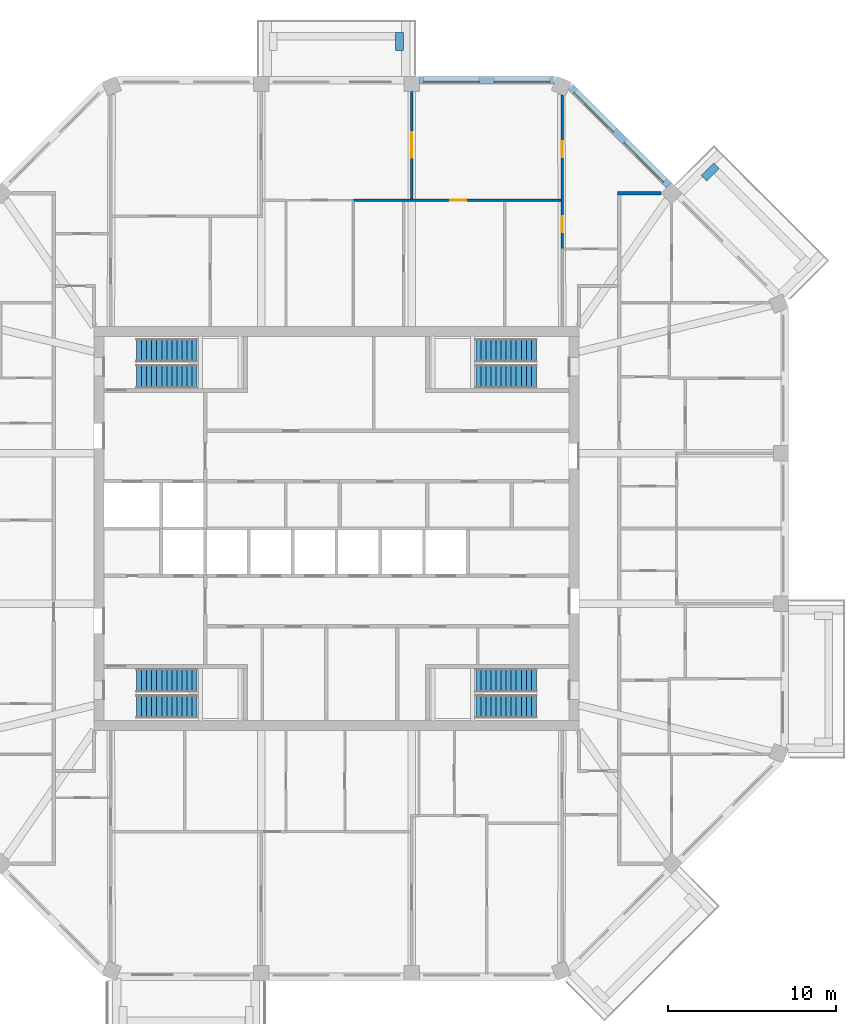
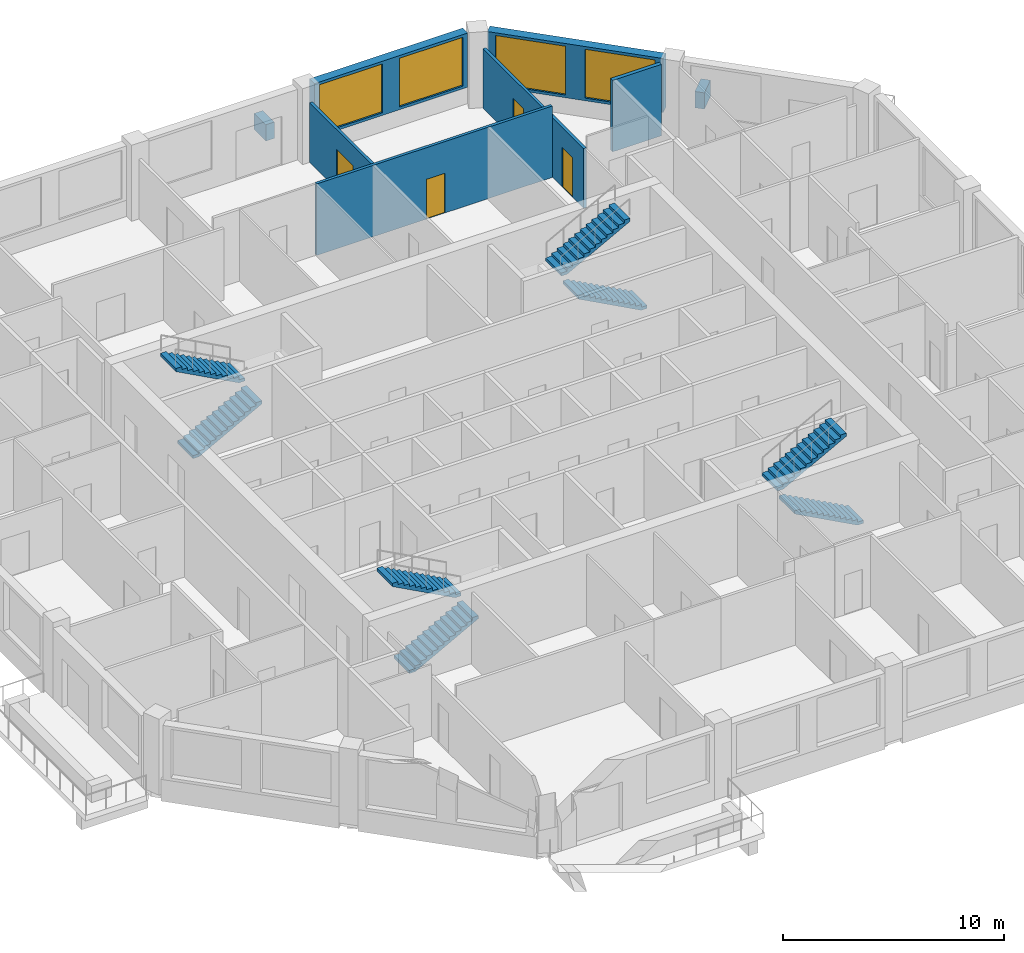
# One storey, part 10 of 11: 8 stair flights, 8 walls, 4 doors, 4 windows, 8 openings, 4 elements without a shape of their own.
"""IFC4 building model written with IfcOpenShell, lengths in metres."""

from ifc_helpers import new_model, si_unit, direction, frame, frame_2d, origin, place, context, subcontext, project, spatial, polyline, rectangle, outline, extrude, material, layer, layer_set, type_object, element, fill, aggregate, save


model = new_model("IFC4")

# Units and contexts
model_context = context("Model", 3, precision=1e-05, world=origin(), true_north=direction((0.0, 1.0)))
body_context = subcontext(model_context, "Body", "Model", "MODEL_VIEW")
ifc_project = project(units=[si_unit("LENGTHUNIT", "METRE"), si_unit("AREAUNIT", "SQUARE_METRE"), si_unit("VOLUMEUNIT", "CUBIC_METRE"), si_unit("PLANEANGLEUNIT", "RADIAN"), si_unit("MASSUNIT", "GRAM", prefix="KILO")], contexts=[model_context])

# Site, building, storey
site_placement = place(None, origin())
site = spatial("IfcSite", under=ifc_project, at=site_placement, CompositionType="ELEMENT")
building_placement = place(site_placement, origin())
building = spatial("IfcBuilding", under=site, at=building_placement, Name="Msitu Wima Residences", CompositionType="ELEMENT")
storey_placement = place(building_placement, frame((0.0, 0.0, 268.5)))
storey = spatial("IfcBuildingStorey", under=building, at=storey_placement, Name="L62", CompositionType="ELEMENT", Elevation=268.5)

# Walls
ifc_material_1 = material(Name="Facing brick")
ifc_layer_1 = layer(ifc_material_1, 0.06494140625, Name="Facing brick")
ifc_material_2 = material(Name="Concrete C40/50", Category="concrete")
ifc_layer_2 = layer(ifc_material_2, 0.156005859375, Name="Concrete C40/50")
ifc_material_3 = material(Name="Waterproofing membrane")
ifc_layer_3 = layer(ifc_material_3, 0.00390625, Name="Waterproofing membrane")
ifc_material_4 = material(Name="Planting soil and planting")
ifc_layer_4 = layer(ifc_material_4, 0.22509765625, Name="Planting soil and planting")
ifc_layer_set_1 = layer_set([ifc_layer_1, ifc_layer_2, ifc_layer_3, ifc_layer_4], Name="Concrete C40/50")
wall_type_1 = type_object("IfcWallType", Name="Balcony planter PLANTER PL450", PredefinedType="USERDEFINED", material=ifc_layer_set_1)
for number, where, z_axis, x_axis, name in (
    (1, (21.829833984375, 20.804443359375, 0.0), (0.0, 0.0, 1.0), (0.707106781187, 0.707106781187, 0.0), "Balcony planter NE0 L62"),
    (2, (3.74365234375, 28.39990234375, 0.0), (0.0, 0.0, 1.0), (0.0, 1.0, 0.0), "Balcony planter N1 L62"),
):
    element("IfcWall", number, at=place(storey_placement, frame(where, z_axis=z_axis, x_axis=x_axis)), inside=storey, type_object=wall_type_1, Name=name, ObjectType="PLANTER", PredefinedType="USERDEFINED", context=body_context, shape_type="SweptSolid", body=[
        extrude(rectangle(XDim=1.050048828125, YDim=0.449951171875, at=frame_2d((0.52490234375, 0.0))), origin(), (0.0, 0.0, 1.0), 0.89990234375),
    ])

# Wall, openings, windows
ifc_material_5 = material(Name="Brick (red buff mix)", Category="masonry")
ifc_layer_5 = layer(ifc_material_5, 0.449951171875)
ifc_layer_set_2 = layer_set([ifc_layer_5], Name="Brick (red buff mix)")
wall_type_2 = type_object("IfcWallType", Name="Brick infill wall BW450", PredefinedType="SOLIDWALL", material=ifc_layer_set_2)
wall_1_placement = place(storey_placement, frame((19.743896484375, 20.380126953125, 0.89990234375), z_axis=(0.0, 0.0, 1.0), x_axis=(-0.707106781187, 0.707106781187, 0.0)))
wall_1 = element("IfcWall", 3, at=wall_1_placement, inside=storey, type_object=wall_type_2, Name="Brick infill wall L62 NE1", PredefinedType="SOLIDWALL", context=body_context, shape_type="SweptSolid", body=[
    extrude(rectangle(XDim=8.251220703125, YDim=0.449951171875, at=frame_2d((4.12548828125, 0.0))), origin(), (0.0, 0.0, 1.0), 3.0),
])
opening_1_placement = place(wall_1_placement, frame((0.37548828125, 0.0, 0.14990234375)))
opening_1 = element("IfcOpeningElement", 4, at=opening_1_placement, cuts=wall_1, Name="Opening W60-62.012", PredefinedType="OPENING", context=body_context, shape_type="SweptSolid", body=[
    extrude(rectangle(XDim=3.300048828125, YDim=2.699951171875, at=frame_2d((1.64990234375, 1.35009765625))), frame((0.0, 0.23486328125, 0.0), z_axis=(0.0, -1.0, 0.0), x_axis=(1.0, 0.0, 0.0)), (0.0, 0.0, 1.0), 0.469970703125),
])
opening_2_placement = place(wall_1_placement, frame((4.57568359375, 0.0, 0.14990234375)))
opening_2 = element("IfcOpeningElement", 5, at=opening_2_placement, cuts=wall_1, Name="Opening W60-62.013", PredefinedType="OPENING", context=body_context, shape_type="SweptSolid", body=[
    extrude(rectangle(XDim=3.300048828125, YDim=2.699951171875, at=frame_2d((1.64990234375, 1.35009765625))), frame((0.0, 0.23486328125, 0.0), z_axis=(0.0, -1.0, 0.0), x_axis=(1.0, 0.0, 0.0)), (0.0, 0.0, 1.0), 0.469970703125),
])
ifc_material_6 = material(Name="Anodised aluminium, bronze finish, clear low-emissivity double glazing", Category="aluminium")
window_type = type_object("IfcWindowType", Name="Window W3300x2700", PartitioningType="DOUBLE_PANEL_VERTICAL", PredefinedType="WINDOW", material=ifc_material_6)
window_1_placement = place(opening_1_placement, origin())
window_1 = element("IfcWindow", 6, at=window_1_placement, inside=storey, type_object=window_type, Name="Window L62 NE1.1", OverallHeight=2.699951171875, OverallWidth=3.300048828125, PartitioningType="SINGLE_PANEL", PredefinedType="WINDOW", context=body_context, shape_type="SweptSolid", body=[
    extrude(rectangle(XDim=3.300048828125, YDim=2.699951171875, at=frame_2d((1.64990234375, 1.35009765625))), frame((0.0, 0.135009765625, 0.0), z_axis=(0.0, -1.0, 0.0), x_axis=(1.0, 0.0, 0.0)), (0.0, 0.0, 1.0), 0.06005859375),
])
fill(opening_1, window_1)
window_2_placement = place(opening_2_placement, origin())
window_2 = element("IfcWindow", 7, at=window_2_placement, inside=storey, type_object=window_type, Name="Window L62 NE1.2", OverallHeight=2.699951171875, OverallWidth=3.300048828125, PartitioningType="SINGLE_PANEL", PredefinedType="WINDOW", context=body_context, shape_type="SweptSolid", body=[
    extrude(rectangle(XDim=3.300048828125, YDim=2.699951171875, at=frame_2d((1.64990234375, 1.35009765625))), frame((0.0, 0.135009765625, 0.0), z_axis=(0.0, -1.0, 0.0), x_axis=(1.0, 0.0, 0.0)), (0.0, 0.0, 1.0), 0.06005859375),
])
fill(opening_2, window_2)

wall_2_placement = place(storey_placement, frame((12.918701171875, 26.625, 0.89990234375), z_axis=(0.0, 0.0, 1.0), x_axis=(-1.0, 0.0, 0.0)))
wall_2 = element("IfcWall", 8, at=wall_2_placement, inside=storey, type_object=wall_type_2, Name="Brick infill wall L62 N0", PredefinedType="SOLIDWALL", context=body_context, shape_type="SweptSolid", body=[
    extrude(rectangle(XDim=8.0, YDim=0.449951171875, at=frame_2d((4.0, 0.0))), origin(), (0.0, 0.0, 1.0), 3.0),
])
opening_3_placement = place(wall_2_placement, frame((0.25, 0.0, 0.14990234375)))
opening_3 = element("IfcOpeningElement", 9, at=opening_3_placement, cuts=wall_2, Name="Opening W60-62.006", PredefinedType="OPENING", context=body_context, shape_type="SweptSolid", body=[
    extrude(rectangle(XDim=3.300048828125, YDim=2.699951171875, at=frame_2d((1.64990234375, 1.35009765625))), frame((0.0, 0.23486328125, 0.0), z_axis=(0.0, -1.0, 0.0), x_axis=(1.0, 0.0, 0.0)), (0.0, 0.0, 1.0), 0.469970703125),
])
opening_4_placement = place(wall_2_placement, frame((4.4501953125, 0.0, 0.14990234375)))
opening_4 = element("IfcOpeningElement", 10, at=opening_4_placement, cuts=wall_2, Name="Opening W60-62.007", PredefinedType="OPENING", context=body_context, shape_type="SweptSolid", body=[
    extrude(rectangle(XDim=3.300048828125, YDim=2.699951171875, at=frame_2d((1.64990234375, 1.35009765625))), frame((0.0, 0.23486328125, 0.0), z_axis=(0.0, -1.0, 0.0), x_axis=(1.0, 0.0, 0.0)), (0.0, 0.0, 1.0), 0.469970703125),
])
window_3_placement = place(opening_3_placement, origin())
window_3 = element("IfcWindow", 11, at=window_3_placement, inside=storey, type_object=window_type, Name="Window L62 N0.1", OverallHeight=2.699951171875, OverallWidth=3.300048828125, PartitioningType="SINGLE_PANEL", PredefinedType="WINDOW", context=body_context, shape_type="SweptSolid", body=[
    extrude(rectangle(XDim=3.300048828125, YDim=2.699951171875, at=frame_2d((1.64990234375, 1.35009765625))), frame((0.0, 0.135009765625, 0.0), z_axis=(0.0, -1.0, 0.0), x_axis=(1.0, 0.0, 0.0)), (0.0, 0.0, 1.0), 0.06005859375),
])
fill(opening_3, window_3)
window_4_placement = place(opening_4_placement, origin())
window_4 = element("IfcWindow", 12, at=window_4_placement, inside=storey, type_object=window_type, Name="Window L62 N0.2", OverallHeight=2.699951171875, OverallWidth=3.300048828125, PartitioningType="SINGLE_PANEL", PredefinedType="WINDOW", context=body_context, shape_type="SweptSolid", body=[
    extrude(rectangle(XDim=3.300048828125, YDim=2.699951171875, at=frame_2d((1.64990234375, 1.35009765625))), frame((0.0, 0.135009765625, 0.0), z_axis=(0.0, -1.0, 0.0), x_axis=(1.0, 0.0, 0.0)), (0.0, 0.0, 1.0), 0.06005859375),
])
fill(opening_4, window_4)

# Wall, opening, door
ifc_material_7 = material(Name="Plaster")
ifc_layer_6 = layer(ifc_material_7, 0.011962890625, Name="Plaster")
ifc_material_8 = material(Name="Concrete blockwork", Category="masonry")
ifc_layer_7 = layer(ifc_material_8, 0.1259765625, Name="Concrete blockwork")
ifc_layer_8 = layer(ifc_material_7, 0.011962890625, Name="Plaster")
ifc_layer_set_3 = layer_set([ifc_layer_6, ifc_layer_7, ifc_layer_8], Name="Concrete blockwork")
wall_type_3 = type_object("IfcWallType", Name="Partition PW150", PredefinedType="PARTITIONING", material=ifc_layer_set_3)
wall_3_placement = place(storey_placement, frame((1.0, 19.5, 0.0), z_axis=(0.0, 0.0, 1.0), x_axis=(1.0, 0.0, 0.0)))
wall_3 = element("IfcWall", 13, at=wall_3_placement, inside=storey, type_object=wall_type_3, Name="Partition", PredefinedType="PARTITIONING", context=body_context, shape_type="SweptSolid", body=[
    extrude(rectangle(XDim=12.330810546875, YDim=0.14990234375, at=frame_2d((6.16552734375, 0.0))), origin(), (0.0, 0.0, 1.0), 3.949951171875),
])
opening_5_placement = place(wall_3_placement, frame((5.75, 0.0, 0.0)))
opening_5 = element("IfcOpeningElement", 14, at=opening_5_placement, cuts=wall_3, Name="Opening D60-62.028", PredefinedType="OPENING", context=body_context, shape_type="SweptSolid", body=[
    extrude(rectangle(XDim=0.949951171875, YDim=2.199951171875, at=frame_2d((0.47509765625, 1.10009765625))), frame((0.0, 0.0849609375, 0.0), z_axis=(0.0, -1.0, 0.0), x_axis=(1.0, 0.0, 0.0)), (0.0, 0.0, 1.0), 0.169921875),
])
ifc_material_9 = material(Name="Timber flush door", Category="wood")
door_type_1 = type_object("IfcDoorType", Name="Room door D12 950x2200", OperationType="SINGLE_SWING_LEFT", PredefinedType="DOOR", material=ifc_material_9)
door_1_placement = place(opening_5_placement, origin())
door_1 = element("IfcDoor", 15, at=door_1_placement, inside=storey, type_object=door_type_1, Name="Room door", OperationType="SINGLE_SWING_LEFT", OverallHeight=2.199951171875, OverallWidth=0.949951171875, PredefinedType="DOOR", context=body_context, shape_type="SweptSolid", body=[
    extrude(rectangle(XDim=0.949951171875, YDim=2.199951171875, at=frame_2d((0.47509765625, 1.10009765625))), frame((0.0, 0.02490234375, 0.0), z_axis=(0.0, -1.0, 0.0), x_axis=(1.0, 0.0, 0.0)), (0.0, 0.0, 1.0), 0.050048828125),
])
fill(opening_5, door_1)

wall_4_placement = place(storey_placement, frame((4.46875, 19.574951171875, 0.0), z_axis=(0.0, 0.0, 1.0), x_axis=(0.0, 1.0, 0.0)))
wall_4 = element("IfcWall", 16, at=wall_4_placement, inside=storey, type_object=wall_type_3, Name="Partition", PredefinedType="PARTITIONING", context=body_context, shape_type="SweptSolid", body=[
    extrude(rectangle(XDim=6.375, YDim=0.14990234375, at=frame_2d((3.1875, 0.0))), origin(), (0.0, 0.0, 1.0), 3.300048828125),
])
opening_6_placement = place(wall_4_placement, frame((2.449951171875, 0.0, 0.0)))
opening_6 = element("IfcOpeningElement", 17, at=opening_6_placement, cuts=wall_4, Name="Opening D60-62.036", PredefinedType="OPENING", context=body_context, shape_type="SweptSolid", body=[
    extrude(rectangle(XDim=1.5, YDim=2.199951171875, at=frame_2d((0.75, 1.10009765625))), frame((0.0, 0.0849609375, 0.0), z_axis=(0.0, -1.0, 0.0), x_axis=(1.0, 0.0, 0.0)), (0.0, 0.0, 1.0), 0.169921875),
])
ifc_material_10 = material(Name="Timber double door", Category="wood")
door_type_2 = type_object("IfcDoorType", Name="Double door D04 1500x2200", OperationType="DOUBLE_DOOR_SINGLE_SWING", PredefinedType="DOOR", material=ifc_material_10)
door_2_placement = place(opening_6_placement, origin())
door_2 = element("IfcDoor", 18, at=door_2_placement, inside=storey, type_object=door_type_2, Name="Double door", OperationType="DOUBLE_DOOR_SINGLE_SWING", OverallHeight=2.199951171875, OverallWidth=1.5, PredefinedType="DOOR", context=body_context, shape_type="SweptSolid", body=[
    extrude(rectangle(XDim=1.5, YDim=2.199951171875, at=frame_2d((0.75, 1.10009765625))), frame((0.0, 0.02490234375, 0.0), z_axis=(0.0, -1.0, 0.0), x_axis=(1.0, 0.0, 0.0)), (0.0, 0.0, 1.0), 0.050048828125),
])
fill(opening_6, door_2)

# Wall, openings, doors
wall_5_placement = place(storey_placement, frame((13.406005859375, 16.60009765625, 0.0), z_axis=(0.0, 0.0, 1.0), x_axis=(0.0, 1.0, 0.0)))
wall_5 = element("IfcWall", 19, at=wall_5_placement, inside=storey, type_object=wall_type_3, Name="Partition", PredefinedType="PARTITIONING", context=body_context, shape_type="SweptSolid", body=[
    extrude(rectangle(XDim=9.131103515625, YDim=0.14990234375, at=frame_2d((4.5654296875, 0.0))), origin(), (0.0, 0.0, 1.0), 3.300048828125),
])
opening_7_placement = place(wall_5_placement, frame((5.449951171875, 0.0, 0.0)))
opening_7 = element("IfcOpeningElement", 20, at=opening_7_placement, cuts=wall_5, Name="Opening D60-62.037", PredefinedType="OPENING", context=body_context, shape_type="SweptSolid", body=[
    extrude(rectangle(XDim=0.949951171875, YDim=2.199951171875, at=frame_2d((0.47509765625, 1.10009765625))), frame((0.0, 0.0849609375, 0.0), z_axis=(0.0, -1.0, 0.0), x_axis=(1.0, 0.0, 0.0)), (0.0, 0.0, 1.0), 0.169921875),
])
opening_8_placement = place(wall_5_placement, frame((1.0, 0.0, 0.0)))
opening_8 = element("IfcOpeningElement", 21, at=opening_8_placement, cuts=wall_5, Name="Opening D60-62.038", PredefinedType="OPENING", context=body_context, shape_type="SweptSolid", body=[
    extrude(rectangle(XDim=0.949951171875, YDim=2.199951171875, at=frame_2d((0.47509765625, 1.10009765625))), frame((0.0, 0.0849609375, 0.0), z_axis=(0.0, -1.0, 0.0), x_axis=(1.0, 0.0, 0.0)), (0.0, 0.0, 1.0), 0.169921875),
])
door_3_placement = place(opening_7_placement, origin())
door_3 = element("IfcDoor", 22, at=door_3_placement, inside=storey, type_object=door_type_1, Name="Room door", OperationType="SINGLE_SWING_LEFT", OverallHeight=2.199951171875, OverallWidth=0.949951171875, PredefinedType="DOOR", context=body_context, shape_type="SweptSolid", body=[
    extrude(rectangle(XDim=0.949951171875, YDim=2.199951171875, at=frame_2d((0.47509765625, 1.10009765625))), frame((0.0, 0.02490234375, 0.0), z_axis=(0.0, -1.0, 0.0), x_axis=(1.0, 0.0, 0.0)), (0.0, 0.0, 1.0), 0.050048828125),
])
fill(opening_7, door_3)
door_4_placement = place(opening_8_placement, origin())
door_4 = element("IfcDoor", 23, at=door_4_placement, inside=storey, type_object=door_type_1, Name="Room door", OperationType="SINGLE_SWING_RIGHT", OverallHeight=2.199951171875, OverallWidth=0.949951171875, PredefinedType="DOOR", context=body_context, shape_type="SweptSolid", body=[
    extrude(rectangle(XDim=0.949951171875, YDim=2.199951171875, at=frame_2d((0.47509765625, 1.10009765625))), frame((0.0, 0.02490234375, 0.0), z_axis=(0.0, -1.0, 0.0), x_axis=(1.0, 0.0, 0.0)), (0.0, 0.0, 1.0), 0.050048828125),
])
fill(opening_8, door_4)

# Wall
ifc_layer_9 = layer(ifc_material_7, 0.011962890625, Name="Plaster")
ifc_material_11 = material(Name="Dense concrete blockwork", Category="masonry")
ifc_layer_10 = layer(ifc_material_11, 0.176025390625, Name="Dense concrete blockwork")
ifc_layer_11 = layer(ifc_material_7, 0.011962890625, Name="Plaster")
ifc_layer_set_4 = layer_set([ifc_layer_9, ifc_layer_10, ifc_layer_11], Name="Dense concrete blockwork")
wall_type_4 = type_object("IfcWallType", Name="Party wall PW200", PredefinedType="PARTITIONING", material=ifc_layer_set_4)
wall_6_placement = place(storey_placement, frame((16.699951171875, 19.90283203125, 0.0), z_axis=(0.0, 0.0, 1.0), x_axis=(1.0, 0.0, 0.0)))
element("IfcWall", 24, at=wall_6_placement, inside=storey, type_object=wall_type_4, Name="Party wall", PredefinedType="PARTITIONING", context=body_context, shape_type="SweptSolid", body=[
    extrude(rectangle(XDim=2.566650390625, YDim=0.199951171875, at=frame_2d((1.283203125, 0.0))), origin(), (0.0, 0.0, 1.0), 3.949951171875),
])

# Stair, stair flights
stair_type = type_object("IfcStairType", Name="Exit stair ES1615-140", PredefinedType="HALF_TURN_STAIR", material=ifc_material_2)
stair_1_placement = place(storey_placement, origin())
stair_1 = element("IfcStair", 25, at=stair_1_placement, inside=storey, type_object=stair_type, Name="Exit stair 1", PredefinedType="HALF_TURN_STAIR")
stair_flight_type = type_object("IfcStairFlightType", Name="Exit stair flight ES1615-140", PredefinedType="STRAIGHT", material=ifc_material_2)
stair_flight_1_placement = place(storey_placement, frame((-11.875, 9.02490234375, 0.0), z_axis=(0.0, 0.0, 1.0), x_axis=(1.0, 0.0, 0.0)))
stair_flight_1 = element("IfcStairFlight", 26, at=stair_flight_1_placement, type_object=stair_flight_type, Name="S1 flight 1", NumberOfRisers=13, NumberOfTreads=12, PredefinedType="STRAIGHT", RiserHeight=0.161538462, TreadLength=0.3, context=body_context, shape_type="SweptSolid", body=[
    extrude(outline(polyline([(0.0, 0.0), (0.0, 0.16162109375), (0.300048828125, 0.16162109375), (0.300048828125, 0.322998046875), (0.60009765625, 0.322998046875), (0.60009765625, 0.484619140625), (0.89990234375, 0.484619140625), (0.89990234375, 0.646240234375), (1.199951171875, 0.646240234375), (1.199951171875, 0.8076171875), (1.5, 0.8076171875), (1.5, 0.96923828125), (1.800048828125, 0.96923828125), (1.800048828125, 1.130859375), (2.10009765625, 1.130859375), (2.10009765625, 1.292236328125), (2.39990234375, 1.292236328125), (2.39990234375, 1.453857421875), (2.699951171875, 1.453857421875), (2.699951171875, 1.615478515625), (3.0, 1.615478515625), (3.0, 1.77685546875), (3.300048828125, 1.77685546875), (3.300048828125, 1.9384765625), (3.60009765625, 1.9384765625), (3.60009765625, 2.10009765625), (3.60009765625, 1.768310546875), (0.316162109375, 0.0), (0.0, 0.0)])), frame((0.0, 0.699951171875, 0.0), z_axis=(0.0, -1.0, 0.0), x_axis=(1.0, 0.0, 0.0)), (0.0, 0.0, 1.0), 1.39990234375),
])
stair_flight_2_placement = place(storey_placement, frame((-8.27490234375, 10.574951171875, 2.10009765625), z_axis=(0.0, 0.0, 1.0), x_axis=(-1.0, 0.0, 0.0)))
stair_flight_2 = element("IfcStairFlight", 27, at=stair_flight_2_placement, type_object=stair_flight_type, Name="S1 flight 2", NumberOfRisers=13, NumberOfTreads=12, PredefinedType="STRAIGHT", RiserHeight=0.161538462, TreadLength=0.3, context=body_context, shape_type="SweptSolid", body=[
    extrude(outline(polyline([(0.0, 0.0), (0.0, 0.16162109375), (0.300048828125, 0.16162109375), (0.300048828125, 0.322998046875), (0.60009765625, 0.322998046875), (0.60009765625, 0.484619140625), (0.89990234375, 0.484619140625), (0.89990234375, 0.646240234375), (1.199951171875, 0.646240234375), (1.199951171875, 0.8076171875), (1.5, 0.8076171875), (1.5, 0.96923828125), (1.800048828125, 0.96923828125), (1.800048828125, 1.130859375), (2.10009765625, 1.130859375), (2.10009765625, 1.292236328125), (2.39990234375, 1.292236328125), (2.39990234375, 1.453857421875), (2.699951171875, 1.453857421875), (2.699951171875, 1.615478515625), (3.0, 1.615478515625), (3.0, 1.77685546875), (3.300048828125, 1.77685546875), (3.300048828125, 1.9384765625), (3.60009765625, 1.9384765625), (3.60009765625, 2.10009765625), (3.60009765625, 1.768310546875), (0.316162109375, 0.0), (0.0, 0.0)])), frame((0.0, 0.699951171875, 0.0), z_axis=(0.0, -1.0, 0.0), x_axis=(1.0, 0.0, 0.0)), (0.0, 0.0, 1.0), 1.39990234375),
])
aggregate(stair_1, [stair_flight_1, stair_flight_2])

stair_2_placement = place(storey_placement, origin())
stair_2 = element("IfcStair", 28, at=stair_2_placement, inside=storey, type_object=stair_type, Name="Exit stair 2", PredefinedType="HALF_TURN_STAIR")
stair_flight_3_placement = place(storey_placement, frame((-11.875, -10.574951171875, 0.0), z_axis=(0.0, 0.0, 1.0), x_axis=(1.0, 0.0, 0.0)))
stair_flight_3 = element("IfcStairFlight", 29, at=stair_flight_3_placement, type_object=stair_flight_type, Name="S2 flight 1", NumberOfRisers=13, NumberOfTreads=12, PredefinedType="STRAIGHT", RiserHeight=0.161538462, TreadLength=0.3, context=body_context, shape_type="SweptSolid", body=[
    extrude(outline(polyline([(0.0, 0.0), (0.0, 0.16162109375), (0.300048828125, 0.16162109375), (0.300048828125, 0.322998046875), (0.60009765625, 0.322998046875), (0.60009765625, 0.484619140625), (0.89990234375, 0.484619140625), (0.89990234375, 0.646240234375), (1.199951171875, 0.646240234375), (1.199951171875, 0.8076171875), (1.5, 0.8076171875), (1.5, 0.96923828125), (1.800048828125, 0.96923828125), (1.800048828125, 1.130859375), (2.10009765625, 1.130859375), (2.10009765625, 1.292236328125), (2.39990234375, 1.292236328125), (2.39990234375, 1.453857421875), (2.699951171875, 1.453857421875), (2.699951171875, 1.615478515625), (3.0, 1.615478515625), (3.0, 1.77685546875), (3.300048828125, 1.77685546875), (3.300048828125, 1.9384765625), (3.60009765625, 1.9384765625), (3.60009765625, 2.10009765625), (3.60009765625, 1.768310546875), (0.316162109375, 0.0), (0.0, 0.0)])), frame((0.0, 0.699951171875, 0.0), z_axis=(0.0, -1.0, 0.0), x_axis=(1.0, 0.0, 0.0)), (0.0, 0.0, 1.0), 1.39990234375),
])
stair_flight_4_placement = place(storey_placement, frame((-8.27490234375, -9.02490234375, 2.10009765625), z_axis=(0.0, 0.0, 1.0), x_axis=(-1.0, 0.0, 0.0)))
stair_flight_4 = element("IfcStairFlight", 30, at=stair_flight_4_placement, type_object=stair_flight_type, Name="S2 flight 2", NumberOfRisers=13, NumberOfTreads=12, PredefinedType="STRAIGHT", RiserHeight=0.161538462, TreadLength=0.3, context=body_context, shape_type="SweptSolid", body=[
    extrude(outline(polyline([(0.0, 0.0), (0.0, 0.16162109375), (0.300048828125, 0.16162109375), (0.300048828125, 0.322998046875), (0.60009765625, 0.322998046875), (0.60009765625, 0.484619140625), (0.89990234375, 0.484619140625), (0.89990234375, 0.646240234375), (1.199951171875, 0.646240234375), (1.199951171875, 0.8076171875), (1.5, 0.8076171875), (1.5, 0.96923828125), (1.800048828125, 0.96923828125), (1.800048828125, 1.130859375), (2.10009765625, 1.130859375), (2.10009765625, 1.292236328125), (2.39990234375, 1.292236328125), (2.39990234375, 1.453857421875), (2.699951171875, 1.453857421875), (2.699951171875, 1.615478515625), (3.0, 1.615478515625), (3.0, 1.77685546875), (3.300048828125, 1.77685546875), (3.300048828125, 1.9384765625), (3.60009765625, 1.9384765625), (3.60009765625, 2.10009765625), (3.60009765625, 1.768310546875), (0.316162109375, 0.0), (0.0, 0.0)])), frame((0.0, 0.699951171875, 0.0), z_axis=(0.0, -1.0, 0.0), x_axis=(1.0, 0.0, 0.0)), (0.0, 0.0, 1.0), 1.39990234375),
])
aggregate(stair_2, [stair_flight_3, stair_flight_4])

stair_3_placement = place(storey_placement, origin())
stair_3 = element("IfcStair", 31, at=stair_3_placement, inside=storey, type_object=stair_type, Name="Exit stair 3", PredefinedType="HALF_TURN_STAIR")
stair_flight_5_placement = place(storey_placement, frame((11.875, 9.02490234375, 0.0), z_axis=(0.0, 0.0, 1.0), x_axis=(-1.0, 0.0, 0.0)))
stair_flight_5 = element("IfcStairFlight", 32, at=stair_flight_5_placement, type_object=stair_flight_type, Name="S3 flight 1", NumberOfRisers=13, NumberOfTreads=12, PredefinedType="STRAIGHT", RiserHeight=0.161538462, TreadLength=0.3, context=body_context, shape_type="SweptSolid", body=[
    extrude(outline(polyline([(0.0, 0.0), (0.0, 0.16162109375), (0.300048828125, 0.16162109375), (0.300048828125, 0.322998046875), (0.60009765625, 0.322998046875), (0.60009765625, 0.484619140625), (0.89990234375, 0.484619140625), (0.89990234375, 0.646240234375), (1.199951171875, 0.646240234375), (1.199951171875, 0.8076171875), (1.5, 0.8076171875), (1.5, 0.96923828125), (1.800048828125, 0.96923828125), (1.800048828125, 1.130859375), (2.10009765625, 1.130859375), (2.10009765625, 1.292236328125), (2.39990234375, 1.292236328125), (2.39990234375, 1.453857421875), (2.699951171875, 1.453857421875), (2.699951171875, 1.615478515625), (3.0, 1.615478515625), (3.0, 1.77685546875), (3.300048828125, 1.77685546875), (3.300048828125, 1.9384765625), (3.60009765625, 1.9384765625), (3.60009765625, 2.10009765625), (3.60009765625, 1.768310546875), (0.316162109375, 0.0), (0.0, 0.0)])), frame((0.0, 0.699951171875, 0.0), z_axis=(0.0, -1.0, 0.0), x_axis=(1.0, 0.0, 0.0)), (0.0, 0.0, 1.0), 1.39990234375),
])
stair_flight_6_placement = place(storey_placement, frame((8.27490234375, 10.574951171875, 2.10009765625), z_axis=(0.0, 0.0, 1.0), x_axis=(1.0, 0.0, 0.0)))
stair_flight_6 = element("IfcStairFlight", 33, at=stair_flight_6_placement, type_object=stair_flight_type, Name="S3 flight 2", NumberOfRisers=13, NumberOfTreads=12, PredefinedType="STRAIGHT", RiserHeight=0.161538462, TreadLength=0.3, context=body_context, shape_type="SweptSolid", body=[
    extrude(outline(polyline([(0.0, 0.0), (0.0, 0.16162109375), (0.300048828125, 0.16162109375), (0.300048828125, 0.322998046875), (0.60009765625, 0.322998046875), (0.60009765625, 0.484619140625), (0.89990234375, 0.484619140625), (0.89990234375, 0.646240234375), (1.199951171875, 0.646240234375), (1.199951171875, 0.8076171875), (1.5, 0.8076171875), (1.5, 0.96923828125), (1.800048828125, 0.96923828125), (1.800048828125, 1.130859375), (2.10009765625, 1.130859375), (2.10009765625, 1.292236328125), (2.39990234375, 1.292236328125), (2.39990234375, 1.453857421875), (2.699951171875, 1.453857421875), (2.699951171875, 1.615478515625), (3.0, 1.615478515625), (3.0, 1.77685546875), (3.300048828125, 1.77685546875), (3.300048828125, 1.9384765625), (3.60009765625, 1.9384765625), (3.60009765625, 2.10009765625), (3.60009765625, 1.768310546875), (0.316162109375, 0.0), (0.0, 0.0)])), frame((0.0, 0.699951171875, 0.0), z_axis=(0.0, -1.0, 0.0), x_axis=(1.0, 0.0, 0.0)), (0.0, 0.0, 1.0), 1.39990234375),
])
aggregate(stair_3, [stair_flight_5, stair_flight_6])

stair_4_placement = place(storey_placement, origin())
stair_4 = element("IfcStair", 34, at=stair_4_placement, inside=storey, type_object=stair_type, Name="Exit stair 4", PredefinedType="HALF_TURN_STAIR")
stair_flight_7_placement = place(storey_placement, frame((11.875, -10.574951171875, 0.0), z_axis=(0.0, 0.0, 1.0), x_axis=(-1.0, 0.0, 0.0)))
stair_flight_7 = element("IfcStairFlight", 35, at=stair_flight_7_placement, type_object=stair_flight_type, Name="S4 flight 1", NumberOfRisers=13, NumberOfTreads=12, PredefinedType="STRAIGHT", RiserHeight=0.161538462, TreadLength=0.3, context=body_context, shape_type="SweptSolid", body=[
    extrude(outline(polyline([(0.0, 0.0), (0.0, 0.16162109375), (0.300048828125, 0.16162109375), (0.300048828125, 0.322998046875), (0.60009765625, 0.322998046875), (0.60009765625, 0.484619140625), (0.89990234375, 0.484619140625), (0.89990234375, 0.646240234375), (1.199951171875, 0.646240234375), (1.199951171875, 0.8076171875), (1.5, 0.8076171875), (1.5, 0.96923828125), (1.800048828125, 0.96923828125), (1.800048828125, 1.130859375), (2.10009765625, 1.130859375), (2.10009765625, 1.292236328125), (2.39990234375, 1.292236328125), (2.39990234375, 1.453857421875), (2.699951171875, 1.453857421875), (2.699951171875, 1.615478515625), (3.0, 1.615478515625), (3.0, 1.77685546875), (3.300048828125, 1.77685546875), (3.300048828125, 1.9384765625), (3.60009765625, 1.9384765625), (3.60009765625, 2.10009765625), (3.60009765625, 1.768310546875), (0.316162109375, 0.0), (0.0, 0.0)])), frame((0.0, 0.699951171875, 0.0), z_axis=(0.0, -1.0, 0.0), x_axis=(1.0, 0.0, 0.0)), (0.0, 0.0, 1.0), 1.39990234375),
])
stair_flight_8_placement = place(storey_placement, frame((8.27490234375, -9.02490234375, 2.10009765625), z_axis=(0.0, 0.0, 1.0), x_axis=(1.0, 0.0, 0.0)))
stair_flight_8 = element("IfcStairFlight", 36, at=stair_flight_8_placement, type_object=stair_flight_type, Name="S4 flight 2", NumberOfRisers=13, NumberOfTreads=12, PredefinedType="STRAIGHT", RiserHeight=0.161538462, TreadLength=0.3, context=body_context, shape_type="SweptSolid", body=[
    extrude(outline(polyline([(0.0, 0.0), (0.0, 0.16162109375), (0.300048828125, 0.16162109375), (0.300048828125, 0.322998046875), (0.60009765625, 0.322998046875), (0.60009765625, 0.484619140625), (0.89990234375, 0.484619140625), (0.89990234375, 0.646240234375), (1.199951171875, 0.646240234375), (1.199951171875, 0.8076171875), (1.5, 0.8076171875), (1.5, 0.96923828125), (1.800048828125, 0.96923828125), (1.800048828125, 1.130859375), (2.10009765625, 1.130859375), (2.10009765625, 1.292236328125), (2.39990234375, 1.292236328125), (2.39990234375, 1.453857421875), (2.699951171875, 1.453857421875), (2.699951171875, 1.615478515625), (3.0, 1.615478515625), (3.0, 1.77685546875), (3.300048828125, 1.77685546875), (3.300048828125, 1.9384765625), (3.60009765625, 1.9384765625), (3.60009765625, 2.10009765625), (3.60009765625, 1.768310546875), (0.316162109375, 0.0), (0.0, 0.0)])), frame((0.0, 0.699951171875, 0.0), z_axis=(0.0, -1.0, 0.0), x_axis=(1.0, 0.0, 0.0)), (0.0, 0.0, 1.0), 1.39990234375),
])
aggregate(stair_4, [stair_flight_7, stair_flight_8])

save(model, "model.ifc")
